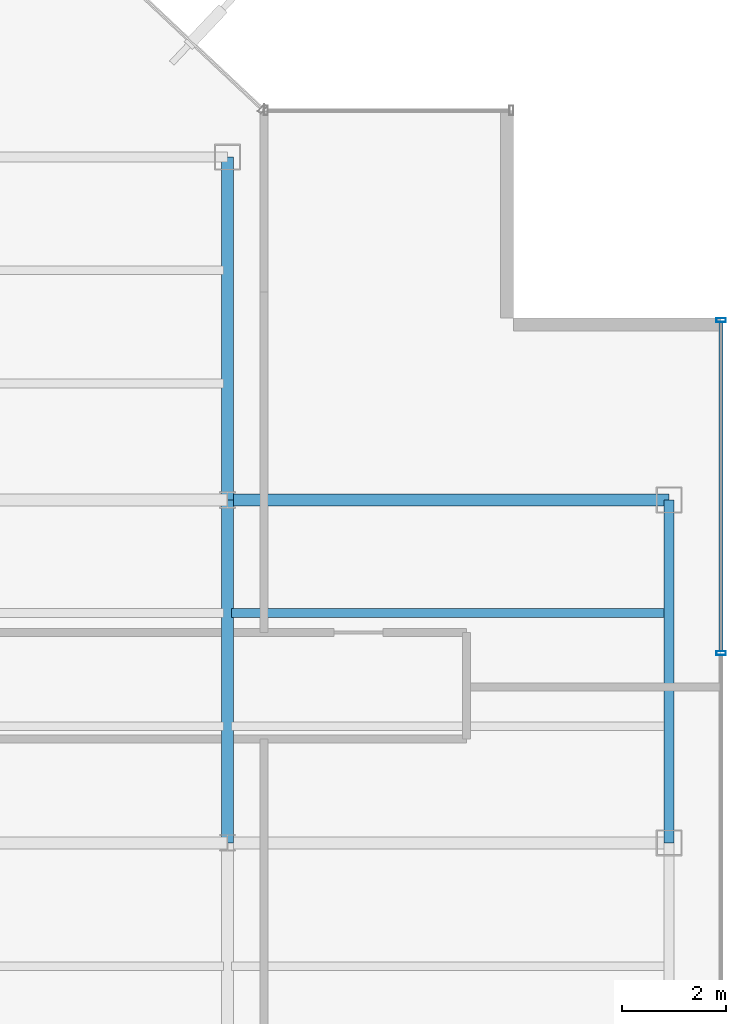
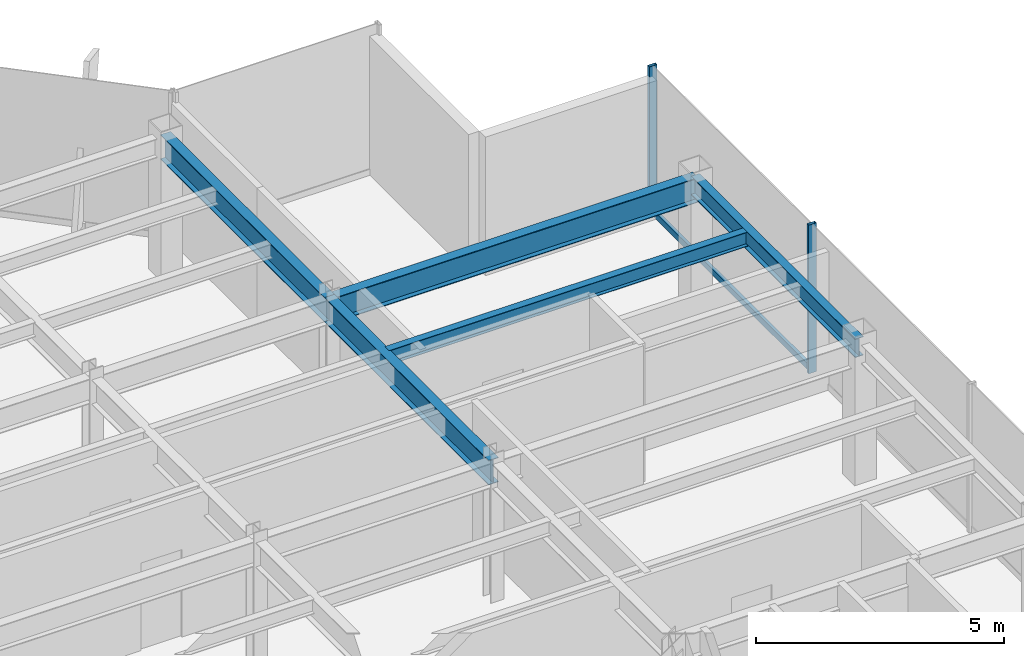
# One storey, part 11 of 22: 5 beams, 3 members, 1 element without a shape of its own.
"""IFC4 building model written with IfcOpenShell, lengths in metres."""

from ifc_helpers import new_model, si_unit, derived_unit, direction, frame, origin, origin_2d, place, context, subcontext, project, spatial, hollow_rectangle, i_section, extrude, source, transform, mapped, material, material_profile, profile_set, type_object, element, aggregate, save


model = new_model("IFC4")

# Units and contexts
model_context = context("Model", 3, precision=1e-05, world=origin(), true_north=direction((0.0, 1.0)))
body_context = subcontext(model_context, "Body", "Model", "MODEL_VIEW")
ifc_project = project(units=[si_unit("LENGTHUNIT", "METRE"), si_unit("AREAUNIT", "SQUARE_METRE"), si_unit("VOLUMEUNIT", "CUBIC_METRE"), si_unit("PLANEANGLEUNIT", "RADIAN"), si_unit("MASSUNIT", "GRAM", prefix="KILO"), derived_unit("THERMALTRANSMITTANCEUNIT", [(si_unit("POWERUNIT", "WATT"), 1), (si_unit("LENGTHUNIT", "METRE"), -2), (si_unit("THERMODYNAMICTEMPERATUREUNIT", "KELVIN"), -1)])], contexts=[model_context])

# Site, building, storey
site_placement = place(None, origin())
site = spatial("IfcSite", under=ifc_project, at=site_placement, CompositionType="ELEMENT")
building_placement = place(site_placement, origin())
building = spatial("IfcBuilding", under=site, at=building_placement, Name="Skarnbrae Concourse Arena and Tower", CompositionType="ELEMENT")
storey_placement = place(building_placement, frame((0.0, 0.0, 210.5)))
storey = spatial("IfcBuildingStorey", under=building, at=storey_placement, Name="L54", CompositionType="ELEMENT", Elevation=210.5)

# Beams
ifc_material_1 = material(Name="Steel CSA G40.21 350W", Category="steel")
ifc_material_profile_1 = material_profile(ifc_material_1, i_section(OverallWidth=0.22802734375, OverallDepth=0.60791015625, WebThickness=0.01123046875, FlangeThickness=0.017333984375, at=origin_2d()), Name="W610X113")
ifc_profile_set_1 = profile_set([ifc_material_profile_1], Name="Steel CSA G40.21 350W")
beam_type_1 = type_object("IfcBeamType", Name="BM-GIRD-W610X113", PredefinedType="BEAM", material=ifc_profile_set_1)
shared_shape_1 = source(origin(), body_context, "Body", "SweptSolid", [
    extrude(i_section(OverallWidth=0.22802734375, OverallDepth=0.60791015625, WebThickness=0.01123046875, FlangeThickness=0.017333984375, at=origin_2d()), origin(), (0.0, 0.0, 1.0), 6.60009765625),
])
beam_1_placement = place(storey_placement, frame((33.5, 21.199951171875, 3.095947265625), z_axis=(0.0, 1.0, 0.0), x_axis=(-1.0, 0.0, 0.0)))
element("IfcBeam", 1, at=beam_1_placement, inside=storey, type_object=beam_type_1, Name="L54 Primary N-S girder X33.5-2", PredefinedType="BEAM", context=body_context, shape_type="MappedRepresentation", body=[
    mapped(shared_shape_1, transform((0.0, 0.0, 0.0))),
])
shared_shape_2 = source(origin(), body_context, "Body", "SweptSolid", [
    extrude(i_section(OverallWidth=0.22802734375, OverallDepth=0.60791015625, WebThickness=0.01123046875, FlangeThickness=0.017333984375, at=origin_2d()), origin(), (0.0, 0.0, 1.0), 8.5),
])
beam_2_placement = place(storey_placement, frame((33.5, 27.800048828125, 3.095947265625), z_axis=(1.0, 0.0, 0.0), x_axis=(0.0, 1.0, 0.0)))
element("IfcBeam", 2, at=beam_2_placement, inside=storey, type_object=beam_type_1, Name="L54 Primary E-W girder Y27.8-6", PredefinedType="BEAM", context=body_context, shape_type="MappedRepresentation", body=[
    mapped(shared_shape_2, transform((0.0, 0.0, 0.0))),
])
ifc_material_profile_2 = material_profile(ifc_material_1, i_section(OverallWidth=0.19091796875, OverallDepth=0.4599609375, WebThickness=0.010009765625, FlangeThickness=0.01611328125, at=origin_2d()), Name="W460X82")
ifc_profile_set_2 = profile_set([ifc_material_profile_2], Name="Steel CSA G40.21 350W")
beam_type_2 = type_object("IfcBeamType", Name="BM-SPAN-W460X82", PredefinedType="SPANDREL", material=ifc_profile_set_2)
shared_shape_3 = source(origin(), body_context, "Body", "SweptSolid", [
    extrude(i_section(OverallWidth=0.19091796875, OverallDepth=0.4599609375, WebThickness=0.010009765625, FlangeThickness=0.01611328125, at=origin_2d()), origin(), (0.0, 0.0, 1.0), 6.60009765625),
])
beam_3_placement = place(storey_placement, frame((42.0, 21.199951171875, 3.169921875), z_axis=(0.0, 1.0, 0.0), x_axis=(-1.0, 0.0, 0.0)))
element("IfcBeam", 3, at=beam_3_placement, inside=storey, type_object=beam_type_2, Name="L54 Perimeter spandrel X42.0-3", PredefinedType="SPANDREL", context=body_context, shape_type="MappedRepresentation", body=[
    mapped(shared_shape_3, transform((0.0, 0.0, 0.0))),
])
shared_shape_4 = source(origin(), body_context, "Body", "SweptSolid", [
    extrude(i_section(OverallWidth=0.22802734375, OverallDepth=0.60791015625, WebThickness=0.01123046875, FlangeThickness=0.017333984375, at=origin_2d()), origin(), (0.0, 0.0, 1.0), 6.599853515625),
])
beam_4_placement = place(storey_placement, frame((33.5, 27.800048828125, 3.095947265625), z_axis=(0.0, 1.0, 0.0), x_axis=(-1.0, 0.0, 0.0)))
element("IfcBeam", 4, at=beam_4_placement, inside=storey, type_object=beam_type_1, Name="L54 Primary N-S girder X33.5-3", PredefinedType="BEAM", context=body_context, shape_type="MappedRepresentation", body=[
    mapped(shared_shape_4, transform((0.0, 0.0, 0.0))),
])
ifc_material_profile_3 = material_profile(ifc_material_1, i_section(OverallWidth=0.1708984375, OverallDepth=0.35498046875, WebThickness=0.007080078125, FlangeThickness=0.01171875, at=origin_2d()), Name="W360X51")
ifc_profile_set_3 = profile_set([ifc_material_profile_3], Name="Steel CSA G40.21 350W")
beam_type_3 = type_object("IfcBeamType", Name="BM-JOIST-W360X51", PredefinedType="JOIST", material=ifc_profile_set_3)
shared_shape_5 = source(origin(), body_context, "Body", "SweptSolid", [
    extrude(i_section(OverallWidth=0.1708984375, OverallDepth=0.35498046875, WebThickness=0.007080078125, FlangeThickness=0.01171875, at=origin_2d()), origin(), (0.0, 0.0, 1.0), 8.33984375),
])
beam_5_placement = place(storey_placement, frame((33.580078125, 25.6220703125, 3.222412109375), z_axis=(1.0, 0.0, 0.0), x_axis=(0.0, 1.0, 0.0)))
element("IfcBeam", 5, at=beam_5_placement, inside=storey, type_object=beam_type_3, Name="L54 Secondary floor joist 2.2.6", PredefinedType="JOIST", context=body_context, shape_type="MappedRepresentation", body=[
    mapped(shared_shape_5, transform((0.0, 0.0, 0.0))),
])

# Curtain wall, members
ifc_material_2 = material(Name="Bronze anodised aluminium 6063-T6", Category="aluminium")
curtain_wall_type = type_object("IfcCurtainWallType", Name="CW-SYS-05-HIGHZONE", PredefinedType="USERDEFINED", material=ifc_material_2)
curtain_wall_placement = place(storey_placement, origin())
curtain_wall = element("IfcCurtainWall", 6, at=curtain_wall_placement, inside=storey, type_object=curtain_wall_type, Name="L54 Unitised curtain wall CW-L54-E04", ObjectType="UNITISED CURTAIN WALL", PredefinedType="USERDEFINED")
ifc_material_profile_4 = material_profile(ifc_material_2, hollow_rectangle(XDim=0.074951171875, YDim=0.179931640625, WallThickness=0.00390625, at=origin_2d()), Name="ALU-MULL-75X180")
ifc_profile_set_4 = profile_set([ifc_material_profile_4], Name="Bronze anodised aluminium 6063-T6")
member_type_1 = type_object("IfcMemberType", Name="CWM-CW-05", PredefinedType="MULLION", material=ifc_profile_set_4)
shared_shape_6 = source(origin(), body_context, "Body", "SweptSolid", [
    extrude(hollow_rectangle(XDim=0.074951171875, YDim=0.179931640625, WallThickness=0.00390625, at=origin_2d()), origin(), (0.0, 0.0, 1.0), 3.64990234375),
])
member_1_placement = place(storey_placement, frame((43.0, 24.85009765625, 0.0), z_axis=(0.0, 0.0, 1.0), x_axis=(0.0, 1.0, 0.0)))
member_1 = element("IfcMember", 7, at=member_1_placement, type_object=member_type_1, Name="CW-L54-E04 Mullion 4", PredefinedType="MULLION", context=body_context, shape_type="MappedRepresentation", body=[
    mapped(shared_shape_6, transform((0.0, 0.0, 0.0))),
])
member_2_placement = place(storey_placement, frame((43.0, 31.262451171875, 0.0), z_axis=(0.0, 0.0, 1.0), x_axis=(0.0, 1.0, 0.0)))
member_2 = element("IfcMember", 8, at=member_2_placement, type_object=member_type_1, Name="CW-L54-E04 Mullion 5", PredefinedType="MULLION", context=body_context, shape_type="MappedRepresentation", body=[
    mapped(shared_shape_6, transform((0.0, 0.0, 0.0))),
])
ifc_material_profile_5 = material_profile(ifc_material_2, hollow_rectangle(XDim=0.074951171875, YDim=0.14990234375, WallThickness=0.00390625, at=origin_2d()), Name="ALU-TRAN-75X150")
ifc_profile_set_5 = profile_set([ifc_material_profile_5], Name="Bronze anodised aluminium 6063-T6")
member_type_2 = type_object("IfcMemberType", Name="CWT-CW-05", PredefinedType="USERDEFINED", material=ifc_profile_set_5)
shared_shape_7 = source(origin(), body_context, "Body", "SweptSolid", [
    extrude(hollow_rectangle(XDim=0.074951171875, YDim=0.14990234375, WallThickness=0.00390625, at=origin_2d()), origin(), (0.0, 0.0, 1.0), 6.337646484375),
])
member_3_placement = place(storey_placement, frame((43.0, 24.887451171875, 0.074951171875), z_axis=(0.0, 1.0, 0.0), x_axis=(-1.0, 0.0, 0.0)))
member_3 = element("IfcMember", 9, at=member_3_placement, type_object=member_type_2, Name="CW-L54-E04 Transom 4", ObjectType="TRANSOM", PredefinedType="USERDEFINED", context=body_context, shape_type="MappedRepresentation", body=[
    mapped(shared_shape_7, transform((0.0, 0.0, 0.0))),
])
aggregate(curtain_wall, [member_1, member_2, member_3])

save(model, "model.ifc")
